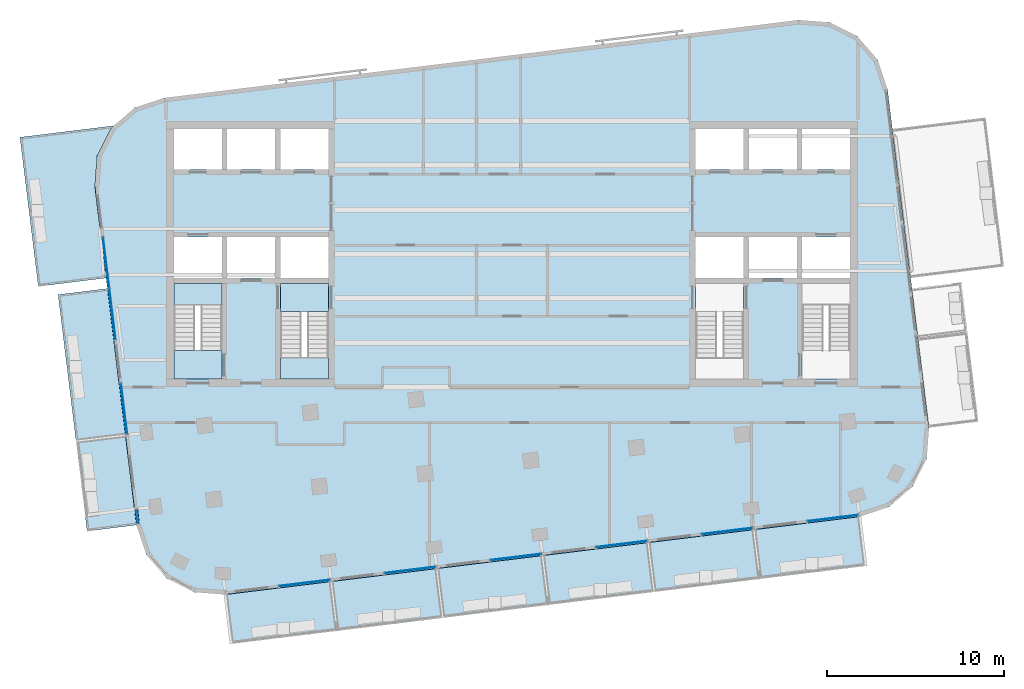
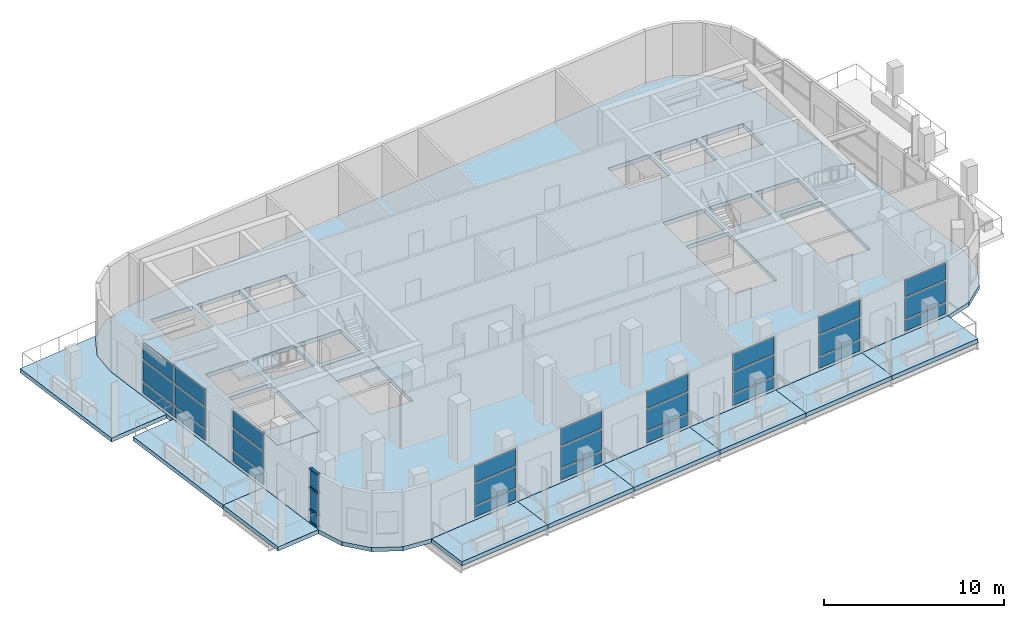
# One storey, part 5 of 14: 30 plates, 14 slabs, 4 members, 11 elements without a shape of their own.
"""IFC4 building model written with IfcOpenShell, lengths in metres."""

from ifc_helpers import new_model, si_unit, direction, frame, origin, origin_2d, place, context, subcontext, project, spatial, polyline, rectangle, outline, extrude, material, layer, layer_set, material_profile, profile_set, type_object, element, aggregate, save


model = new_model("IFC4")

# Units and contexts
model_context = context("Model", 3, precision=1e-05, world=origin(), true_north=direction((0.0, 1.0)))
body_context = subcontext(model_context, "Body", "Model", "MODEL_VIEW")
ifc_project = project(units=[si_unit("LENGTHUNIT", "METRE"), si_unit("AREAUNIT", "SQUARE_METRE"), si_unit("VOLUMEUNIT", "CUBIC_METRE"), si_unit("PLANEANGLEUNIT", "RADIAN"), si_unit("MASSUNIT", "GRAM", prefix="KILO")], contexts=[model_context])

# Site, building, storey
site_placement = place(None, origin())
site = spatial("IfcSite", under=ifc_project, at=site_placement, CompositionType="ELEMENT")
building_placement = place(site_placement, origin())
building = spatial("IfcBuilding", under=site, at=building_placement, Name="Torana Hotel and Residences", CompositionType="ELEMENT")
storey_placement = place(building_placement, frame((0.0, 0.0, 318.60009765625)))
storey = spatial("IfcBuildingStorey", under=building, at=storey_placement, Name="L84", CompositionType="ELEMENT", Elevation=318.60009765625)

# Curtain wall, members
ifc_material_1 = material(Name="Dark anodised aluminium", Category="aluminium")
ifc_layer_1 = layer(ifc_material_1, 0.199951171875)
ifc_layer_set_1 = layer_set([ifc_layer_1], Name="CW3 SKY CLUB UNITISED CURTAIN WALL")
curtain_wall_type = type_object("IfcCurtainWallType", Name="CW3 SKY CLUB UNITISED CURTAIN WALL", PredefinedType="NOTDEFINED", material=ifc_layer_set_1)
curtain_wall_1_placement = place(storey_placement, origin())
curtain_wall_1 = element("IfcCurtainWall", 1, at=curtain_wall_1_placement, inside=storey, type_object=curtain_wall_type, Name="Curtain wall CW3 L84 e0.9-6", PredefinedType="NOTDEFINED")
ifc_material_2 = material(Name="Dark anodised aluminium", Category="aluminium")
ifc_material_profile = material_profile(ifc_material_2, rectangle(XDim=0.14990234375, YDim=0.1201171875, at=origin_2d()), Name="CW3 TRANSOM 150x120")
ifc_profile_set = profile_set([ifc_material_profile], Name="Dark anodised aluminium")
member_type = type_object("IfcMemberType", Name="CW3 TRANSOM 150x120", PredefinedType="USERDEFINED", material=ifc_profile_set)
member_1_placement = place(storey_placement, frame((-21.1640625, -21.9345703125, 0.059814453125), z_axis=(0.121868344815, -0.992546274252, 0.0), x_axis=(0.992546274252, 0.121868344815, 0.0)))
member_1 = element("IfcMember", 2, at=member_1_placement, type_object=member_type, Name="CW3 transom 1.1", ObjectType="TRANSOM", PredefinedType="USERDEFINED", context=body_context, shape_type="SweptSolid", body=[
    extrude(rectangle(XDim=0.14990234375, YDim=0.1201171875, at=origin_2d()), origin(), (0.0, 0.0, 1.0), 0.735107421875),
])
member_2_placement = place(storey_placement, frame((-21.1640625, -21.9345703125, 0.89990234375), z_axis=(0.121868344815, -0.992546274252, 0.0), x_axis=(0.992546274252, 0.121868344815, 0.0)))
member_2 = element("IfcMember", 3, at=member_2_placement, type_object=member_type, Name="CW3 transom 1.2", ObjectType="TRANSOM", PredefinedType="USERDEFINED", context=body_context, shape_type="SweptSolid", body=[
    extrude(rectangle(XDim=0.14990234375, YDim=0.1201171875, at=origin_2d()), origin(), (0.0, 0.0, 1.0), 0.735107421875),
])
member_3_placement = place(storey_placement, frame((-21.1640625, -21.9345703125, 2.39990234375), z_axis=(0.121868344815, -0.992546274252, 0.0), x_axis=(0.992546274252, 0.121868344815, 0.0)))
member_3 = element("IfcMember", 4, at=member_3_placement, type_object=member_type, Name="CW3 transom 1.3", ObjectType="TRANSOM", PredefinedType="USERDEFINED", context=body_context, shape_type="SweptSolid", body=[
    extrude(rectangle(XDim=0.14990234375, YDim=0.1201171875, at=origin_2d()), origin(), (0.0, 0.0, 1.0), 0.735107421875),
])
member_4_placement = place(storey_placement, frame((-21.1640625, -21.9345703125, 3.659912109375), z_axis=(0.121868344815, -0.992546274252, 0.0), x_axis=(0.992546274252, 0.121868344815, 0.0)))
member_4 = element("IfcMember", 5, at=member_4_placement, type_object=member_type, Name="CW3 transom 1.4", ObjectType="TRANSOM", PredefinedType="USERDEFINED", context=body_context, shape_type="SweptSolid", body=[
    extrude(rectangle(XDim=0.14990234375, YDim=0.1201171875, at=origin_2d()), origin(), (0.0, 0.0, 1.0), 0.735107421875),
])

# Slabs
ifc_material_3 = material(Name="Concrete C40/50", Category="concrete")
ifc_layer_2 = layer(ifc_material_3, 0.280029296875)
ifc_layer_set_2 = layer_set([ifc_layer_2], Name="BAL1 BALCONY SLAB 280")
slab_type_1 = type_object("IfcSlabType", Name="BAL1 BALCONY SLAB 280", PredefinedType="USERDEFINED", material=ifc_layer_set_2)
slab_1_placement = place(storey_placement, frame((0.0, 0.0, -0.280029296875)))
element("IfcSlab", 6, at=slab_1_placement, inside=storey, type_object=slab_type_1, Name="Balcony 01", ObjectType="BALCONY", PredefinedType="USERDEFINED", context=body_context, shape_type="SweptSolid", body=[
    extrude(outline(polyline([(-15.80615234375, -29.4677734375), (-9.85107421875, -28.736572265625), (-10.192138671875, -25.957275390625), (-16.1474609375, -26.6884765625), (-15.80615234375, -29.4677734375)])), origin(), (0.0, 0.0, 1.0), 0.280029296875),
])
slab_2_placement = place(storey_placement, frame((0.0, 0.0, -0.280029296875)))
element("IfcSlab", 7, at=slab_2_placement, inside=storey, type_object=slab_type_1, Name="Balcony 02", ObjectType="BALCONY", PredefinedType="USERDEFINED", context=body_context, shape_type="SweptSolid", body=[
    extrude(outline(polyline([(-9.85107421875, -28.736572265625), (-3.895751953125, -28.005126953125), (-4.23681640625, -25.22607421875), (-10.192138671875, -25.957275390625), (-9.85107421875, -28.736572265625)])), origin(), (0.0, 0.0, 1.0), 0.280029296875),
])
slab_3_placement = place(storey_placement, frame((0.0, 0.0, -0.280029296875)))
element("IfcSlab", 8, at=slab_3_placement, inside=storey, type_object=slab_type_1, Name="Balcony 03", ObjectType="BALCONY", PredefinedType="USERDEFINED", context=body_context, shape_type="SweptSolid", body=[
    extrude(outline(polyline([(-3.895751953125, -28.005126953125), (2.0595703125, -27.27392578125), (1.718505859375, -24.494873046875), (-4.23681640625, -25.22607421875), (-3.895751953125, -28.005126953125)])), origin(), (0.0, 0.0, 1.0), 0.280029296875),
])
slab_4_placement = place(storey_placement, frame((0.0, 0.0, -0.280029296875)))
element("IfcSlab", 9, at=slab_4_placement, inside=storey, type_object=slab_type_1, Name="Balcony 04", ObjectType="BALCONY", PredefinedType="USERDEFINED", context=body_context, shape_type="SweptSolid", body=[
    extrude(outline(polyline([(2.0595703125, -27.27392578125), (8.014892578125, -26.542724609375), (7.673583984375, -23.763671875), (1.718505859375, -24.494873046875), (2.0595703125, -27.27392578125)])), origin(), (0.0, 0.0, 1.0), 0.280029296875),
])
slab_5_placement = place(storey_placement, frame((0.0, 0.0, -0.280029296875)))
element("IfcSlab", 10, at=slab_5_placement, inside=storey, type_object=slab_type_1, Name="Balcony 05", ObjectType="BALCONY", PredefinedType="USERDEFINED", context=body_context, shape_type="SweptSolid", body=[
    extrude(outline(polyline([(8.014892578125, -26.542724609375), (13.97021484375, -25.8115234375), (13.62890625, -23.032470703125), (7.673583984375, -23.763671875), (8.014892578125, -26.542724609375)])), origin(), (0.0, 0.0, 1.0), 0.280029296875),
])
slab_6_placement = place(storey_placement, frame((0.0, 0.0, -0.280029296875)))
element("IfcSlab", 11, at=slab_6_placement, inside=storey, type_object=slab_type_1, Name="Balcony 06", ObjectType="BALCONY", PredefinedType="USERDEFINED", context=body_context, shape_type="SweptSolid", body=[
    extrude(outline(polyline([(13.97021484375, -25.8115234375), (19.92529296875, -25.080322265625), (19.584228515625, -22.30126953125), (13.62890625, -23.032470703125), (13.97021484375, -25.8115234375)])), origin(), (0.0, 0.0, 1.0), 0.280029296875),
])
slab_7_placement = place(storey_placement, frame((0.0, 0.0, -0.280029296875)))
element("IfcSlab", 12, at=slab_7_placement, inside=storey, type_object=slab_type_1, Name="Balcony 07", ObjectType="BALCONY", PredefinedType="USERDEFINED", context=body_context, shape_type="SweptSolid", body=[
    extrude(outline(polyline([(-23.94140625, -23.11181640625), (-21.162353515625, -22.7705078125), (-21.783935546875, -17.70849609375), (-24.56298828125, -18.0498046875), (-23.94140625, -23.11181640625)])), origin(), (0.0, 0.0, 1.0), 0.280029296875),
])
slab_8_placement = place(storey_placement, frame((0.0, 0.0, -0.280029296875)))
element("IfcSlab", 13, at=slab_8_placement, inside=storey, type_object=slab_type_1, Name="Balcony 08", ObjectType="BALCONY", PredefinedType="USERDEFINED", context=body_context, shape_type="SweptSolid", body=[
    extrude(outline(polyline([(-24.56298828125, -18.0498046875), (-21.783935546875, -17.70849609375), (-22.79833984375, -9.445556640625), (-25.57763671875, -9.786865234375), (-24.56298828125, -18.0498046875)])), origin(), (0.0, 0.0, 1.0), 0.280029296875),
])
slab_9_placement = place(storey_placement, frame((0.0, 0.0, -0.280029296875)))
element("IfcSlab", 14, at=slab_9_placement, inside=storey, type_object=slab_type_1, Name="Balcony 09", ObjectType="BALCONY", PredefinedType="USERDEFINED", context=body_context, shape_type="SweptSolid", body=[
    extrude(outline(polyline([(-26.69287109375, -9.319091796875), (-22.87158203125, -8.85009765625), (-23.502197265625, -3.713623046875), (-23.3720703125, -1.962646484375), (-22.581787109375, -0.394775390625), (-22.43701171875, -0.27001953125), (-27.724365234375, -0.919189453125), (-26.69287109375, -9.319091796875)])), origin(), (0.0, 0.0, 1.0), 0.280029296875),
])

# Curtain wall, plates
curtain_wall_2_placement = place(storey_placement, origin())
curtain_wall_2 = element("IfcCurtainWall", 15, at=curtain_wall_2_placement, inside=storey, type_object=curtain_wall_type, Name="Curtain wall CW3 L84 e0.9-2", PredefinedType="NOTDEFINED")
ifc_material_4 = material(Name="Glass dark tinted double glazed unit", Category="glass")
ifc_layer_3 = layer(ifc_material_4, 0.031982421875)
ifc_layer_set_3 = layer_set([ifc_layer_3], Name="CW3 DARK GLASS PANEL 32")
plate_type = type_object("IfcPlateType", Name="CW3 DARK GLASS PANEL 32", PredefinedType="CURTAIN_PANEL", material=ifc_layer_set_3)
plate_1_placement = place(storey_placement, frame((-22.876953125, -7.986083984375, 0.1201171875), z_axis=(0.0, 0.0, 1.0), x_axis=(0.121875529794, -0.992545392029, 0.0)))
plate_1 = element("IfcPlate", 16, at=plate_1_placement, type_object=plate_type, Name="CW3 panel 1.1", PredefinedType="CURTAIN_PANEL", context=body_context, shape_type="SweptSolid", body=[
    extrude(rectangle(XDim=2.853759765625, YDim=0.031982421875, at=origin_2d()), origin(), (0.0, 0.0, 1.0), 0.719970703125),
])
plate_2_placement = place(storey_placement, frame((-22.876953125, -7.986083984375, 0.9599609375), z_axis=(0.0, 0.0, 1.0), x_axis=(0.121875529794, -0.992545392029, 0.0)))
plate_2 = element("IfcPlate", 17, at=plate_2_placement, type_object=plate_type, Name="CW3 panel 1.2", PredefinedType="CURTAIN_PANEL", context=body_context, shape_type="SweptSolid", body=[
    extrude(rectangle(XDim=2.853759765625, YDim=0.031982421875, at=origin_2d()), origin(), (0.0, 0.0, 1.0), 1.3798828125),
])
plate_3_placement = place(storey_placement, frame((-22.876953125, -7.986083984375, 2.4599609375), z_axis=(0.0, 0.0, 1.0), x_axis=(0.121875529794, -0.992545392029, 0.0)))
plate_3 = element("IfcPlate", 18, at=plate_3_placement, type_object=plate_type, Name="CW3 panel 1.3", PredefinedType="CURTAIN_PANEL", context=body_context, shape_type="SweptSolid", body=[
    extrude(rectangle(XDim=2.853759765625, YDim=0.031982421875, at=origin_2d()), origin(), (0.0, 0.0, 1.0), 1.139892578125),
])
plate_4_placement = place(storey_placement, frame((-22.5205078125, -10.88818359375, 0.1201171875), z_axis=(0.0, 0.0, 1.0), x_axis=(0.121875529794, -0.992545392029, 0.0)))
plate_4 = element("IfcPlate", 19, at=plate_4_placement, type_object=plate_type, Name="CW3 panel 2.1", PredefinedType="CURTAIN_PANEL", context=body_context, shape_type="SweptSolid", body=[
    extrude(rectangle(XDim=2.853759765625, YDim=0.031982421875, at=origin_2d()), origin(), (0.0, 0.0, 1.0), 0.719970703125),
])
plate_5_placement = place(storey_placement, frame((-22.5205078125, -10.88818359375, 0.9599609375), z_axis=(0.0, 0.0, 1.0), x_axis=(0.121875529794, -0.992545392029, 0.0)))
plate_5 = element("IfcPlate", 20, at=plate_5_placement, type_object=plate_type, Name="CW3 panel 2.2", PredefinedType="CURTAIN_PANEL", context=body_context, shape_type="SweptSolid", body=[
    extrude(rectangle(XDim=2.853759765625, YDim=0.031982421875, at=origin_2d()), origin(), (0.0, 0.0, 1.0), 1.3798828125),
])
plate_6_placement = place(storey_placement, frame((-22.5205078125, -10.88818359375, 2.4599609375), z_axis=(0.0, 0.0, 1.0), x_axis=(0.121875529794, -0.992545392029, 0.0)))
plate_6 = element("IfcPlate", 21, at=plate_6_placement, type_object=plate_type, Name="CW3 panel 2.3", PredefinedType="CURTAIN_PANEL", context=body_context, shape_type="SweptSolid", body=[
    extrude(rectangle(XDim=2.853759765625, YDim=0.031982421875, at=origin_2d()), origin(), (0.0, 0.0, 1.0), 1.139892578125),
])
aggregate(curtain_wall_2, [plate_1, plate_2, plate_3, plate_4, plate_5, plate_6])

curtain_wall_3_placement = place(storey_placement, origin())
curtain_wall_3 = element("IfcCurtainWall", 22, at=curtain_wall_3_placement, inside=storey, type_object=curtain_wall_type, Name="Curtain wall CW3 L84 e0.9-4", PredefinedType="NOTDEFINED")
plate_7_placement = place(storey_placement, frame((-21.864990234375, -16.22607421875, 0.1201171875), z_axis=(0.0, 0.0, 1.0), x_axis=(0.121857464048, -0.992547610171, 0.0)))
plate_7 = element("IfcPlate", 23, at=plate_7_placement, type_object=plate_type, Name="CW3 panel 1.1", PredefinedType="CURTAIN_PANEL", context=body_context, shape_type="SweptSolid", body=[
    extrude(rectangle(XDim=2.822509765625, YDim=0.031982421875, at=origin_2d()), origin(), (0.0, 0.0, 1.0), 0.719970703125),
])
plate_8_placement = place(storey_placement, frame((-21.864990234375, -16.22607421875, 0.9599609375), z_axis=(0.0, 0.0, 1.0), x_axis=(0.121857464048, -0.992547610171, 0.0)))
plate_8 = element("IfcPlate", 24, at=plate_8_placement, type_object=plate_type, Name="CW3 panel 1.2", PredefinedType="CURTAIN_PANEL", context=body_context, shape_type="SweptSolid", body=[
    extrude(rectangle(XDim=2.822509765625, YDim=0.031982421875, at=origin_2d()), origin(), (0.0, 0.0, 1.0), 1.3798828125),
])
plate_9_placement = place(storey_placement, frame((-21.864990234375, -16.22607421875, 2.4599609375), z_axis=(0.0, 0.0, 1.0), x_axis=(0.121857464048, -0.992547610171, 0.0)))
plate_9 = element("IfcPlate", 25, at=plate_9_placement, type_object=plate_type, Name="CW3 panel 1.3", PredefinedType="CURTAIN_PANEL", context=body_context, shape_type="SweptSolid", body=[
    extrude(rectangle(XDim=2.822509765625, YDim=0.031982421875, at=origin_2d()), origin(), (0.0, 0.0, 1.0), 1.139892578125),
])
aggregate(curtain_wall_3, [plate_7, plate_8, plate_9])

# Plate
plate_10_placement = place(storey_placement, frame((-21.119384765625, -22.299560546875, 0.1201171875), z_axis=(0.0, 0.0, 1.0), x_axis=(0.121883404477, -0.992544425058, 0.0)))
plate_10 = element("IfcPlate", 26, at=plate_10_placement, type_object=plate_type, Name="CW3 panel 1.1", PredefinedType="CURTAIN_PANEL", context=body_context, shape_type="SweptSolid", body=[
    extrude(rectangle(XDim=0.7353515625, YDim=0.031982421875, at=origin_2d()), origin(), (0.0, 0.0, 1.0), 0.719970703125),
])

plate_11_placement = place(storey_placement, frame((-21.119384765625, -22.299560546875, 0.9599609375), z_axis=(0.0, 0.0, 1.0), x_axis=(0.121883404477, -0.992544425058, 0.0)))
plate_11 = element("IfcPlate", 27, at=plate_11_placement, type_object=plate_type, Name="CW3 panel 1.2", PredefinedType="CURTAIN_PANEL", context=body_context, shape_type="SweptSolid", body=[
    extrude(rectangle(XDim=0.7353515625, YDim=0.031982421875, at=origin_2d()), origin(), (0.0, 0.0, 1.0), 1.3798828125),
])

plate_12_placement = place(storey_placement, frame((-21.119384765625, -22.299560546875, 2.4599609375), z_axis=(0.0, 0.0, 1.0), x_axis=(0.121883404477, -0.992544425058, 0.0)))
plate_12 = element("IfcPlate", 28, at=plate_12_placement, type_object=plate_type, Name="CW3 panel 1.3", PredefinedType="CURTAIN_PANEL", context=body_context, shape_type="SweptSolid", body=[
    extrude(rectangle(XDim=0.7353515625, YDim=0.031982421875, at=origin_2d()), origin(), (0.0, 0.0, 1.0), 1.139892578125),
])

aggregate(curtain_wall_1, [member_1, member_2, member_3, member_4, plate_10, plate_11, plate_12])

# Curtain wall, plates
curtain_wall_4_placement = place(storey_placement, origin())
curtain_wall_4 = element("IfcCurtainWall", 29, at=curtain_wall_4_placement, inside=storey, type_object=curtain_wall_type, Name="Curtain wall CW3 L84 e0.14-2", PredefinedType="NOTDEFINED")
plate_13_placement = place(storey_placement, frame((-11.693115234375, -26.040771484375, 0.1201171875), z_axis=(0.0, 0.0, 1.0), x_axis=(0.992546285043, 0.121868256929, 0.0)))
plate_13 = element("IfcPlate", 30, at=plate_13_placement, type_object=plate_type, Name="CW3 panel 1.1", PredefinedType="CURTAIN_PANEL", context=body_context, shape_type="SweptSolid", body=[
    extrude(rectangle(XDim=2.85986328125, YDim=0.031982421875, at=origin_2d()), origin(), (0.0, 0.0, 1.0), 0.719970703125),
])
plate_14_placement = place(storey_placement, frame((-11.693115234375, -26.040771484375, 0.9599609375), z_axis=(0.0, 0.0, 1.0), x_axis=(0.992546285043, 0.121868256929, 0.0)))
plate_14 = element("IfcPlate", 31, at=plate_14_placement, type_object=plate_type, Name="CW3 panel 1.2", PredefinedType="CURTAIN_PANEL", context=body_context, shape_type="SweptSolid", body=[
    extrude(rectangle(XDim=2.85986328125, YDim=0.031982421875, at=origin_2d()), origin(), (0.0, 0.0, 1.0), 1.3798828125),
])
plate_15_placement = place(storey_placement, frame((-11.693115234375, -26.040771484375, 2.4599609375), z_axis=(0.0, 0.0, 1.0), x_axis=(0.992546285043, 0.121868256929, 0.0)))
plate_15 = element("IfcPlate", 32, at=plate_15_placement, type_object=plate_type, Name="CW3 panel 1.3", PredefinedType="CURTAIN_PANEL", context=body_context, shape_type="SweptSolid", body=[
    extrude(rectangle(XDim=2.85986328125, YDim=0.031982421875, at=origin_2d()), origin(), (0.0, 0.0, 1.0), 1.139892578125),
])
aggregate(curtain_wall_4, [plate_13, plate_14, plate_15])

curtain_wall_5_placement = place(storey_placement, origin())
curtain_wall_5 = element("IfcCurtainWall", 33, at=curtain_wall_5_placement, inside=storey, type_object=curtain_wall_type, Name="Curtain wall CW3 L84 e0.14-4", PredefinedType="NOTDEFINED")
plate_16_placement = place(storey_placement, frame((-5.738037109375, -25.3095703125, 0.1201171875), z_axis=(0.0, 0.0, 1.0), x_axis=(0.992546780088, 0.121864225005, 0.0)))
plate_16 = element("IfcPlate", 34, at=plate_16_placement, type_object=plate_type, Name="CW3 panel 1.1", PredefinedType="CURTAIN_PANEL", context=body_context, shape_type="SweptSolid", body=[
    extrude(rectangle(XDim=2.860107421875, YDim=0.031982421875, at=origin_2d()), origin(), (0.0, 0.0, 1.0), 0.719970703125),
])
plate_17_placement = place(storey_placement, frame((-5.738037109375, -25.3095703125, 0.9599609375), z_axis=(0.0, 0.0, 1.0), x_axis=(0.992546780088, 0.121864225005, 0.0)))
plate_17 = element("IfcPlate", 35, at=plate_17_placement, type_object=plate_type, Name="CW3 panel 1.2", PredefinedType="CURTAIN_PANEL", context=body_context, shape_type="SweptSolid", body=[
    extrude(rectangle(XDim=2.860107421875, YDim=0.031982421875, at=origin_2d()), origin(), (0.0, 0.0, 1.0), 1.3798828125),
])
plate_18_placement = place(storey_placement, frame((-5.738037109375, -25.3095703125, 2.4599609375), z_axis=(0.0, 0.0, 1.0), x_axis=(0.992546780088, 0.121864225005, 0.0)))
plate_18 = element("IfcPlate", 36, at=plate_18_placement, type_object=plate_type, Name="CW3 panel 1.3", PredefinedType="CURTAIN_PANEL", context=body_context, shape_type="SweptSolid", body=[
    extrude(rectangle(XDim=2.860107421875, YDim=0.031982421875, at=origin_2d()), origin(), (0.0, 0.0, 1.0), 1.139892578125),
])
aggregate(curtain_wall_5, [plate_16, plate_17, plate_18])

curtain_wall_6_placement = place(storey_placement, origin())
curtain_wall_6 = element("IfcCurtainWall", 37, at=curtain_wall_6_placement, inside=storey, type_object=curtain_wall_type, Name="Curtain wall CW3 L84 e0.14-6", PredefinedType="NOTDEFINED")
plate_19_placement = place(storey_placement, frame((0.21728515625, -24.578369140625, 0.1201171875), z_axis=(0.0, 0.0, 1.0), x_axis=(0.992546780088, 0.121864225005, 0.0)))
plate_19 = element("IfcPlate", 38, at=plate_19_placement, type_object=plate_type, Name="CW3 panel 1.1", PredefinedType="CURTAIN_PANEL", context=body_context, shape_type="SweptSolid", body=[
    extrude(rectangle(XDim=2.860107421875, YDim=0.031982421875, at=origin_2d()), origin(), (0.0, 0.0, 1.0), 0.719970703125),
])
plate_20_placement = place(storey_placement, frame((0.21728515625, -24.578369140625, 0.9599609375), z_axis=(0.0, 0.0, 1.0), x_axis=(0.992546780088, 0.121864225005, 0.0)))
plate_20 = element("IfcPlate", 39, at=plate_20_placement, type_object=plate_type, Name="CW3 panel 1.2", PredefinedType="CURTAIN_PANEL", context=body_context, shape_type="SweptSolid", body=[
    extrude(rectangle(XDim=2.860107421875, YDim=0.031982421875, at=origin_2d()), origin(), (0.0, 0.0, 1.0), 1.3798828125),
])
plate_21_placement = place(storey_placement, frame((0.21728515625, -24.578369140625, 2.4599609375), z_axis=(0.0, 0.0, 1.0), x_axis=(0.992546780088, 0.121864225005, 0.0)))
plate_21 = element("IfcPlate", 40, at=plate_21_placement, type_object=plate_type, Name="CW3 panel 1.3", PredefinedType="CURTAIN_PANEL", context=body_context, shape_type="SweptSolid", body=[
    extrude(rectangle(XDim=2.860107421875, YDim=0.031982421875, at=origin_2d()), origin(), (0.0, 0.0, 1.0), 1.139892578125),
])
aggregate(curtain_wall_6, [plate_19, plate_20, plate_21])

curtain_wall_7_placement = place(storey_placement, origin())
curtain_wall_7 = element("IfcCurtainWall", 41, at=curtain_wall_7_placement, inside=storey, type_object=curtain_wall_type, Name="Curtain wall CW3 L84 e0.14-8", PredefinedType="NOTDEFINED")
plate_22_placement = place(storey_placement, frame((6.172607421875, -23.84716796875, 0.1201171875), z_axis=(0.0, 0.0, 1.0), x_axis=(0.992546285043, 0.121868256929, 0.0)))
plate_22 = element("IfcPlate", 42, at=plate_22_placement, type_object=plate_type, Name="CW3 panel 1.1", PredefinedType="CURTAIN_PANEL", context=body_context, shape_type="SweptSolid", body=[
    extrude(rectangle(XDim=2.85986328125, YDim=0.031982421875, at=origin_2d()), origin(), (0.0, 0.0, 1.0), 0.719970703125),
])
plate_23_placement = place(storey_placement, frame((6.172607421875, -23.84716796875, 0.9599609375), z_axis=(0.0, 0.0, 1.0), x_axis=(0.992546285043, 0.121868256929, 0.0)))
plate_23 = element("IfcPlate", 43, at=plate_23_placement, type_object=plate_type, Name="CW3 panel 1.2", PredefinedType="CURTAIN_PANEL", context=body_context, shape_type="SweptSolid", body=[
    extrude(rectangle(XDim=2.85986328125, YDim=0.031982421875, at=origin_2d()), origin(), (0.0, 0.0, 1.0), 1.3798828125),
])
plate_24_placement = place(storey_placement, frame((6.172607421875, -23.84716796875, 2.4599609375), z_axis=(0.0, 0.0, 1.0), x_axis=(0.992546285043, 0.121868256929, 0.0)))
plate_24 = element("IfcPlate", 44, at=plate_24_placement, type_object=plate_type, Name="CW3 panel 1.3", PredefinedType="CURTAIN_PANEL", context=body_context, shape_type="SweptSolid", body=[
    extrude(rectangle(XDim=2.85986328125, YDim=0.031982421875, at=origin_2d()), origin(), (0.0, 0.0, 1.0), 1.139892578125),
])
aggregate(curtain_wall_7, [plate_22, plate_23, plate_24])

curtain_wall_8_placement = place(storey_placement, origin())
curtain_wall_8 = element("IfcCurtainWall", 45, at=curtain_wall_8_placement, inside=storey, type_object=curtain_wall_type, Name="Curtain wall CW3 L84 e0.14-10", PredefinedType="NOTDEFINED")
plate_25_placement = place(storey_placement, frame((12.1279296875, -23.115966796875, 0.1201171875), z_axis=(0.0, 0.0, 1.0), x_axis=(0.992546285043, 0.121868256929, 0.0)))
plate_25 = element("IfcPlate", 46, at=plate_25_placement, type_object=plate_type, Name="CW3 panel 1.1", PredefinedType="CURTAIN_PANEL", context=body_context, shape_type="SweptSolid", body=[
    extrude(rectangle(XDim=2.85986328125, YDim=0.031982421875, at=origin_2d()), origin(), (0.0, 0.0, 1.0), 0.719970703125),
])
plate_26_placement = place(storey_placement, frame((12.1279296875, -23.115966796875, 0.9599609375), z_axis=(0.0, 0.0, 1.0), x_axis=(0.992546285043, 0.121868256929, 0.0)))
plate_26 = element("IfcPlate", 47, at=plate_26_placement, type_object=plate_type, Name="CW3 panel 1.2", PredefinedType="CURTAIN_PANEL", context=body_context, shape_type="SweptSolid", body=[
    extrude(rectangle(XDim=2.85986328125, YDim=0.031982421875, at=origin_2d()), origin(), (0.0, 0.0, 1.0), 1.3798828125),
])
plate_27_placement = place(storey_placement, frame((12.1279296875, -23.115966796875, 2.4599609375), z_axis=(0.0, 0.0, 1.0), x_axis=(0.992546285043, 0.121868256929, 0.0)))
plate_27 = element("IfcPlate", 48, at=plate_27_placement, type_object=plate_type, Name="CW3 panel 1.3", PredefinedType="CURTAIN_PANEL", context=body_context, shape_type="SweptSolid", body=[
    extrude(rectangle(XDim=2.85986328125, YDim=0.031982421875, at=origin_2d()), origin(), (0.0, 0.0, 1.0), 1.139892578125),
])
aggregate(curtain_wall_8, [plate_25, plate_26, plate_27])

curtain_wall_9_placement = place(storey_placement, origin())
curtain_wall_9 = element("IfcCurtainWall", 49, at=curtain_wall_9_placement, inside=storey, type_object=curtain_wall_type, Name="Curtain wall CW3 L84 e0.14-12", PredefinedType="NOTDEFINED")
plate_28_placement = place(storey_placement, frame((18.071044921875, -22.38623046875, 0.1201171875), z_axis=(0.0, 0.0, 1.0), x_axis=(0.992546950189, 0.121862839581, 0.0)))
plate_28 = element("IfcPlate", 50, at=plate_28_placement, type_object=plate_type, Name="CW3 panel 1.1", PredefinedType="CURTAIN_PANEL", context=body_context, shape_type="SweptSolid", body=[
    extrude(rectangle(XDim=2.83544921875, YDim=0.031982421875, at=origin_2d()), origin(), (0.0, 0.0, 1.0), 0.719970703125),
])
plate_29_placement = place(storey_placement, frame((18.071044921875, -22.38623046875, 0.9599609375), z_axis=(0.0, 0.0, 1.0), x_axis=(0.992546950189, 0.121862839581, 0.0)))
plate_29 = element("IfcPlate", 51, at=plate_29_placement, type_object=plate_type, Name="CW3 panel 1.2", PredefinedType="CURTAIN_PANEL", context=body_context, shape_type="SweptSolid", body=[
    extrude(rectangle(XDim=2.83544921875, YDim=0.031982421875, at=origin_2d()), origin(), (0.0, 0.0, 1.0), 1.3798828125),
])
plate_30_placement = place(storey_placement, frame((18.071044921875, -22.38623046875, 2.4599609375), z_axis=(0.0, 0.0, 1.0), x_axis=(0.992546950189, 0.121862839581, 0.0)))
plate_30 = element("IfcPlate", 52, at=plate_30_placement, type_object=plate_type, Name="CW3 panel 1.3", PredefinedType="CURTAIN_PANEL", context=body_context, shape_type="SweptSolid", body=[
    extrude(rectangle(XDim=2.83544921875, YDim=0.031982421875, at=origin_2d()), origin(), (0.0, 0.0, 1.0), 1.139892578125),
])
aggregate(curtain_wall_9, [plate_28, plate_29, plate_30])

# Slab
ifc_material_5 = material(Name="Concrete C40/50", Category="concrete")
ifc_layer_4 = layer(ifc_material_5, 0.280029296875)
ifc_layer_set_4 = layer_set([ifc_layer_4], Name="FLOOR SLAB PT 280")
slab_type_2 = type_object("IfcSlabType", Name="FLOOR SLAB PT 280", PredefinedType="FLOOR", material=ifc_layer_set_4)
slab_10_placement = place(storey_placement, frame((0.0, 0.0, -0.280029296875)))
element("IfcSlab", 53, at=slab_10_placement, inside=storey, type_object=slab_type_2, Name="Floor slab", PredefinedType="FLOOR", context=body_context, shape_type="SweptSolid", body=[
    extrude(outline(polyline([(21.162353515625, 1.7705078125), (20.612548828125, 3.43798828125), (19.46630859375, 4.76806640625), (17.8984375, 5.558349609375), (16.1474609375, 5.6884765625), (-19.584228515625, 1.30126953125), (-21.251708984375, 0.75146484375), (-22.581787109375, -0.394775390625), (-23.3720703125, -1.962646484375), (-23.502197265625, -3.713623046875), (-21.162353515625, -22.7705078125), (-20.612548828125, -24.43798828125), (-19.46630859375, -25.76806640625), (-17.8984375, -26.558349609375), (-16.1474609375, -26.6884765625), (19.584228515625, -22.30126953125), (21.251708984375, -21.75146484375), (22.581787109375, -20.605224609375), (23.3720703125, -19.037353515625), (23.502197265625, -17.286376953125), (21.162353515625, 1.7705078125)]), holes=[polyline([(-13.050048828125, -14.550048828125), (-10.35009765625, -14.550048828125), (-10.35009765625, -9.14990234375), (-13.050048828125, -9.14990234375), (-13.050048828125, -14.550048828125)]), polyline([(-19.050048828125, -14.550048828125), (-16.35009765625, -14.550048828125), (-16.35009765625, -9.14990234375), (-19.050048828125, -9.14990234375), (-19.050048828125, -14.550048828125)]), polyline([(-19.050048828125, -2.75), (-16.35009765625, -2.75), (-16.35009765625, -0.449951171875), (-19.050048828125, -0.449951171875), (-19.050048828125, -2.75)]), polyline([(-13.050048828125, -2.75), (-10.35009765625, -2.75), (-10.35009765625, -0.449951171875), (-13.050048828125, -0.449951171875), (-13.050048828125, -2.75)]), polyline([(-16.050048828125, -2.75), (-13.35009765625, -2.75), (-13.35009765625, -0.449951171875), (-16.050048828125, -0.449951171875), (-16.050048828125, -2.75)]), polyline([(-13.050048828125, -8.85009765625), (-10.35009765625, -8.85009765625), (-10.35009765625, -6.550048828125), (-13.050048828125, -6.550048828125), (-13.050048828125, -8.85009765625)]), polyline([(-16.050048828125, -8.85009765625), (-13.35009765625, -8.85009765625), (-13.35009765625, -6.550048828125), (-16.050048828125, -6.550048828125), (-16.050048828125, -8.85009765625)]), polyline([(-19.050048828125, -8.85009765625), (-16.35009765625, -8.85009765625), (-16.35009765625, -6.550048828125), (-19.050048828125, -6.550048828125), (-19.050048828125, -8.85009765625)]), polyline([(10.35009765625, -14.550048828125), (13.050048828125, -14.550048828125), (13.050048828125, -9.14990234375), (10.35009765625, -9.14990234375), (10.35009765625, -14.550048828125)]), polyline([(16.35009765625, -14.550048828125), (19.050048828125, -14.550048828125), (19.050048828125, -9.14990234375), (16.35009765625, -9.14990234375), (16.35009765625, -14.550048828125)]), polyline([(16.35009765625, -2.75), (19.050048828125, -2.75), (19.050048828125, -0.449951171875), (16.35009765625, -0.449951171875), (16.35009765625, -2.75)]), polyline([(10.35009765625, -2.75), (13.050048828125, -2.75), (13.050048828125, -0.449951171875), (10.35009765625, -0.449951171875), (10.35009765625, -2.75)]), polyline([(13.35009765625, -2.75), (16.050048828125, -2.75), (16.050048828125, -0.449951171875), (13.35009765625, -0.449951171875), (13.35009765625, -2.75)]), polyline([(10.35009765625, -8.85009765625), (13.050048828125, -8.85009765625), (13.050048828125, -6.550048828125), (10.35009765625, -6.550048828125), (10.35009765625, -8.85009765625)]), polyline([(13.35009765625, -8.85009765625), (16.050048828125, -8.85009765625), (16.050048828125, -6.550048828125), (13.35009765625, -6.550048828125), (13.35009765625, -8.85009765625)]), polyline([(16.35009765625, -8.85009765625), (19.050048828125, -8.85009765625), (19.050048828125, -6.550048828125), (16.35009765625, -6.550048828125), (16.35009765625, -8.85009765625)])]), origin(), (0.0, 0.0, 1.0), 0.280029296875),
])

# Stair, slabs
ifc_material_6 = material(Name="Concrete C40/50 precast", Category="concrete")
stair_type_1 = type_object("IfcStairType", Name="STAIR ST1 HALF TURN 1200", PredefinedType="HALF_TURN_STAIR", material=ifc_material_6)
stair_1_placement = place(storey_placement, origin())
stair_1 = element("IfcStair", 54, at=stair_1_placement, inside=storey, type_object=stair_type_1, Name="Stair ST1 L84", PredefinedType="HALF_TURN_STAIR")
ifc_material_7 = material(Name="Concrete C40/50 precast", Category="concrete")
ifc_layer_5 = layer(ifc_material_7, 0.199951171875)
ifc_layer_set_5 = layer_set([ifc_layer_5], Name="STAIR LANDING 200")
slab_type_3 = type_object("IfcSlabType", Name="STAIR LANDING 200", PredefinedType="LANDING", material=ifc_layer_set_5)
slab_11_placement = place(storey_placement, frame((0.0, 0.0, 1.7998046875)))
slab_11 = element("IfcSlab", 55, at=slab_11_placement, type_object=slab_type_3, Name="ST1 landing 1", PredefinedType="LANDING", context=body_context, shape_type="SweptSolid", body=[
    extrude(outline(polyline([(-13.050048828125, -14.550048828125), (-10.35009765625, -14.550048828125), (-10.35009765625, -13.35009765625), (-13.050048828125, -13.35009765625), (-13.050048828125, -14.550048828125)])), origin(), (0.0, 0.0, 1.0), 0.2001953125),
])
slab_12_placement = place(storey_placement, frame((0.0, 0.0, -0.2001953125)))
slab_12 = element("IfcSlab", 56, at=slab_12_placement, type_object=slab_type_3, Name="ST1 landing 2", PredefinedType="LANDING", context=body_context, shape_type="SweptSolid", body=[
    extrude(outline(polyline([(-13.050048828125, -10.75), (-10.35009765625, -10.75), (-10.35009765625, -9.14990234375), (-13.050048828125, -9.14990234375), (-13.050048828125, -10.75)])), origin(), (0.0, 0.0, 1.0), 0.2001953125),
])
aggregate(stair_1, [slab_11, slab_12])

ifc_material_8 = material(Name="Concrete C40/50 precast", Category="concrete")
stair_type_2 = type_object("IfcStairType", Name="STAIR ST2 HALF TURN 1200", PredefinedType="HALF_TURN_STAIR", material=ifc_material_8)
stair_2_placement = place(storey_placement, origin())
stair_2 = element("IfcStair", 57, at=stair_2_placement, inside=storey, type_object=stair_type_2, Name="Stair ST2 L84", PredefinedType="HALF_TURN_STAIR")
slab_13_placement = place(storey_placement, frame((0.0, 0.0, 1.7998046875)))
slab_13 = element("IfcSlab", 58, at=slab_13_placement, type_object=slab_type_3, Name="ST2 landing 1", PredefinedType="LANDING", context=body_context, shape_type="SweptSolid", body=[
    extrude(outline(polyline([(-19.050048828125, -10.35009765625), (-16.35009765625, -10.35009765625), (-16.35009765625, -9.14990234375), (-19.050048828125, -9.14990234375), (-19.050048828125, -10.35009765625)])), origin(), (0.0, 0.0, 1.0), 0.2001953125),
])
slab_14_placement = place(storey_placement, frame((0.0, 0.0, -0.2001953125)))
slab_14 = element("IfcSlab", 59, at=slab_14_placement, type_object=slab_type_3, Name="ST2 landing 2", PredefinedType="LANDING", context=body_context, shape_type="SweptSolid", body=[
    extrude(outline(polyline([(-19.050048828125, -14.550048828125), (-16.35009765625, -14.550048828125), (-16.35009765625, -12.949951171875), (-19.050048828125, -12.949951171875), (-19.050048828125, -14.550048828125)])), origin(), (0.0, 0.0, 1.0), 0.2001953125),
])
aggregate(stair_2, [slab_13, slab_14])

save(model, "model.ifc")
